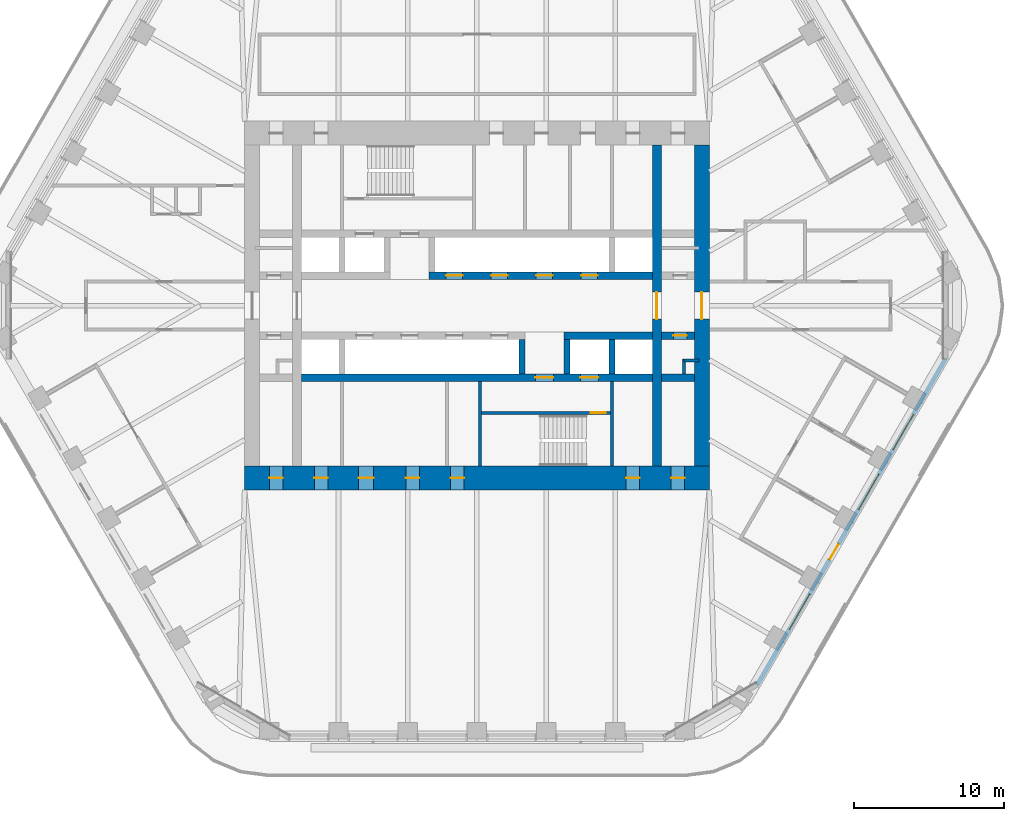
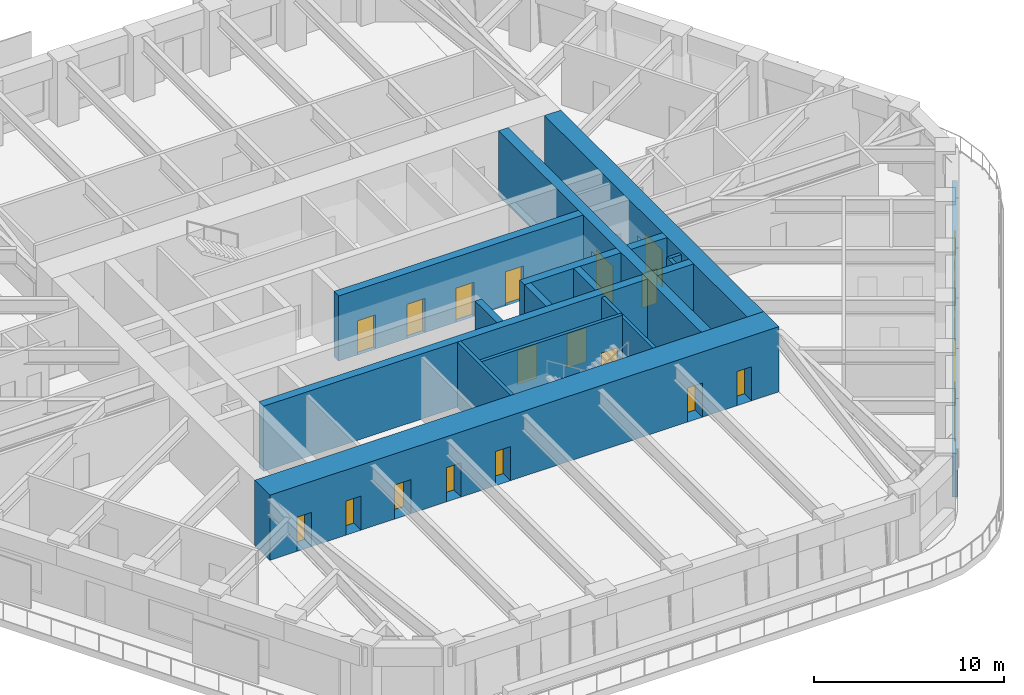
# One storey, part 15 of 20: 18 doors, 17 walls, 3 windows, 21 openings.
"""IFC4 building model written with IfcOpenShell, lengths in metres."""

import ifcopenshell
import ifcopenshell.guid

model = None  # the IFC model being written
_history = None  # IfcOwnerHistory: only IFC2X3 demands one
_inside = {}  # id of a spatial element -> (the spatial element, [elements in it])
_under = {}  # id of a project, library or spatial element -> (it, [spatial elements below it])
_declared = {}  # id of a project -> (the project, [libraries it declares])
_typed = {}  # id of a type object -> (the type object, [elements of that type])
_made_of = {}  # id of a material, layer set ... -> (it, [elements and type objects made of it])


def new_model(schema):
    """Start an empty IFC model of exactly this schema.

    Asked for "IFC4X3", IfcOpenShell would pick the latest addendum, in which some entities
    have other attributes; the version numbers below select the first issue.
    IFC2X3 requires an IfcOwnerHistory on every rooted entity: one is made here for all.
    """
    global model, _history
    if schema == "IFC4X3":
        model = ifcopenshell.file(schema_version=(4, 3, 0, 0))
    else:
        model = ifcopenshell.file(schema=schema)
    _inside.clear()
    _under.clear()
    _declared.clear()
    _typed.clear()
    _made_of.clear()
    _history = None
    if model.schema == "IFC2X3":
        org = make("IfcOrganization", Name="unknown")
        user = make(
            "IfcPersonAndOrganization",
            ThePerson=make("IfcPerson", FamilyName="unknown"),
            TheOrganization=org,
        )
        app = make(
            "IfcApplication",
            ApplicationDeveloper=org,
            Version="unknown",
            ApplicationFullName="unknown",
            ApplicationIdentifier="unknown",
        )
        _history = make(
            "IfcOwnerHistory",
            OwningUser=user,
            OwningApplication=app,
            ChangeAction="ADDED",
            CreationDate=0,
        )
    return model


def make(cls, **values):
    """One entity of the class cls with the attributes given. An attribute that is None is left unset."""
    return model.create_entity(
        cls, **{name: value for name, value in values.items() if value is not None}
    )


def rooted(cls, **values):
    """An entity with a GlobalId (a new one), such as an element, a storey or a relation."""
    return make(cls, GlobalId=ifcopenshell.guid.new(), OwnerHistory=_history, **values)


def si_unit(unit_type, name, prefix=None):
    """IfcSIUnit, for example si_unit("LENGTHUNIT", "METRE", prefix="MILLI")."""
    return make("IfcSIUnit", UnitType=unit_type, Prefix=prefix, Name=name)


def assignment(units):
    """IfcUnitAssignment: the units of a project."""
    return None if units is None else make("IfcUnitAssignment", Units=units)


def point(xyz):
    """IfcCartesianPoint."""
    return None if xyz is None else make("IfcCartesianPoint", Coordinates=xyz)


def direction(xyz):
    """IfcDirection."""
    return None if xyz is None else make("IfcDirection", DirectionRatios=xyz)


def frame(location, z_axis=None, x_axis=None):
    """IfcAxis2Placement3D, a coordinate frame: its origin and axes. An axis left out is left unset."""
    return make(
        "IfcAxis2Placement3D",
        Location=point(location),
        Axis=direction(z_axis),
        RefDirection=direction(x_axis),
    )


def frame_2d(location, x_axis=None):
    """IfcAxis2Placement2D, a coordinate frame in the plane: its origin and x axis."""
    return make(
        "IfcAxis2Placement2D", Location=point(location), RefDirection=direction(x_axis)
    )


def origin():
    """The frame at (0, 0, 0) with its axes left unset."""
    return frame((0.0, 0.0, 0.0))


def place(relative_to, where):
    """IfcLocalPlacement: puts the frame where relative to a parent placement (None: the world)."""
    return make(
        "IfcLocalPlacement", PlacementRelTo=relative_to, RelativePlacement=where
    )


def context(
    kind, dimensions, precision=None, world=None, true_north=None, identifier=None
):
    """IfcGeometricRepresentationContext, for example the 3D "Model" context."""
    return make(
        "IfcGeometricRepresentationContext",
        ContextIdentifier=identifier,
        ContextType=kind,
        CoordinateSpaceDimension=dimensions,
        Precision=precision,
        WorldCoordinateSystem=world,
        TrueNorth=true_north,
    )


def subcontext(parent, identifier, kind, view, scale=None):
    """IfcGeometricRepresentationSubContext, for example "Body" below "Model"."""
    return make(
        "IfcGeometricRepresentationSubContext",
        ContextIdentifier=identifier,
        ContextType=kind,
        ParentContext=parent,
        TargetScale=scale,
        TargetView=view,
    )


def project(units=None, contexts=None):
    """IfcProject with its units and contexts."""
    return rooted(
        "IfcProject",
        Name="project",
        RepresentationContexts=contexts,
        UnitsInContext=assignment(units),
    )


def spatial(cls, under=None, at=None, **own):
    """A site, building, storey or space (cls), placed at a placement, below another one or the project."""
    s = rooted(cls, ObjectPlacement=at, **own)
    if under is not None:
        _under.setdefault(under.id(), (under, []))[1].append(s)
    return s


def profile(cls, at=None, kind="AREA", **sizes):
    """A parametric profile (cls). Its sizes go by their IFC names, for example OverallWidth=200.0."""
    return make(cls, ProfileType=kind, Position=at, **sizes)


def rectangle(**sizes):
    """IfcRectangleProfileDef."""
    return profile("IfcRectangleProfileDef", **sizes)


def extrude(swept, where, along, depth):
    """IfcExtrudedAreaSolid: the profile swept, set in the frame where, extruded along a direction by depth."""
    return make(
        "IfcExtrudedAreaSolid",
        SweptArea=swept,
        Position=where,
        ExtrudedDirection=direction(along),
        Depth=depth,
    )


def shape(context_of_items, identifier, shape_type, items):
    """IfcShapeRepresentation: the items that make up one representation, for example the "Body"."""
    return make(
        "IfcShapeRepresentation",
        ContextOfItems=context_of_items,
        RepresentationIdentifier=identifier,
        RepresentationType=shape_type,
        Items=items,
    )


def material(Name=None, Category=None):
    """IfcMaterial."""
    return make("IfcMaterial", Name=Name, Category=Category)


def layer(
    of_material, thickness, ventilated=None, Name=None, Category=None, Priority=None
):
    """IfcMaterialLayer: one layer of a wall or slab, of a material (None: an air gap)."""
    return make(
        "IfcMaterialLayer",
        Material=of_material,
        LayerThickness=thickness,
        IsVentilated=ventilated,
        Name=Name,
        Category=Category,
        Priority=Priority,
    )


def layer_set(layers, Name=None):
    """IfcMaterialLayerSet."""
    return make("IfcMaterialLayerSet", MaterialLayers=layers, LayerSetName=Name)


def made_of(thing, what):
    """Note that an element or type object is made of a material, layer set ...; save() writes the relation."""
    if what is not None:
        _made_of.setdefault(what.id(), (what, []))[1].append(thing)
    return thing


def type_object(cls, material=None, **own):
    """A type object (cls), such as IfcWallType, which elements share."""
    return made_of(rooted(cls, **own), material)


def element(
    cls,
    number,
    at=None,
    inside=None,
    cuts=None,
    type_object=None,
    material=None,
    context=None,
    identifier="Body",
    shape_type=None,
    held_by="IfcProductDefinitionShape",
    body=None,
    shapes=None,
    **own,
):
    """One element of the class cls, such as IfcWall. Its Tag is "e" and its number.

    at: its placement. inside: the storey or other place that contains it. cuts: it is an
    opening in that element (IfcRelVoidsElement). A single representation is given by context,
    identifier, shape_type and body (its items); several are given by shapes. held_by: the class
    of the entity that holds the representations. save() writes the other relations.
    """
    e = rooted(cls, Tag="e%d" % number, ObjectPlacement=at, **own)
    if body is not None:
        shapes = [shape(context, identifier, shape_type, body)]
    if shapes is not None:
        e.Representation = make(held_by, Representations=shapes)
    if inside is not None:
        _inside.setdefault(inside.id(), (inside, []))[1].append(e)
    if cuts is not None:
        rooted(
            "IfcRelVoidsElement", RelatingBuildingElement=cuts, RelatedOpeningElement=e
        )
    if type_object is not None:
        _typed.setdefault(type_object.id(), (type_object, []))[1].append(e)
    return made_of(e, material)


def fill(opening, filler):
    """IfcRelFillsElement: the door or window that sits in an opening."""
    return rooted(
        "IfcRelFillsElement",
        RelatingOpeningElement=opening,
        RelatedBuildingElement=filler,
    )


def aggregate(whole, parts):
    """IfcRelAggregates: a whole, such as a stair, and the parts it consists of."""
    return rooted("IfcRelAggregates", RelatingObject=whole, RelatedObjects=parts)


def save(model, path):
    """Write the relations noted so far, then the file.

    IfcRelAggregates (storeys below a building ...), IfcRelContainedInSpatialStructure (elements
    in a storey), IfcRelDefinesByType, IfcRelAssociatesMaterial and IfcRelDeclares: one each for
    every whole, place, type object, material and project.
    """
    for whole, parts in _under.values():
        aggregate(whole, parts)
    for where, things in _inside.values():
        rooted(
            "IfcRelContainedInSpatialStructure",
            RelatedElements=things,
            RelatingStructure=where,
        )
    for kind, things in _typed.values():
        rooted("IfcRelDefinesByType", RelatedObjects=things, RelatingType=kind)
    for what, things in _made_of.values():
        rooted("IfcRelAssociatesMaterial", RelatedObjects=things, RelatingMaterial=what)
    for by, libraries in _declared.values():
        rooted("IfcRelDeclares", RelatingContext=by, RelatedDefinitions=libraries)
    model.write(path)


model = new_model("IFC4")

# Units and contexts
model_context = context("Model", 3, precision=1e-05, world=origin(), true_north=direction((0.0, 1.0)))
body_context = subcontext(model_context, "Body", "Model", "MODEL_VIEW")
ifc_project = project(units=[si_unit("LENGTHUNIT", "METRE"), si_unit("AREAUNIT", "SQUARE_METRE"), si_unit("VOLUMEUNIT", "CUBIC_METRE"), si_unit("PLANEANGLEUNIT", "RADIAN"), si_unit("MASSUNIT", "GRAM", prefix="KILO")], contexts=[model_context])

# Site, building, storey
site_placement = place(None, origin())
site = spatial("IfcSite", under=ifc_project, at=site_placement, CompositionType="ELEMENT")
building_placement = place(site_placement, origin())
building = spatial("IfcBuilding", under=site, at=building_placement, Name="Tarfa Lantern Tower", CompositionType="ELEMENT")
storey_placement = place(building_placement, frame((0.0, 0.0, 253.300048828125)))
storey = spatial("IfcBuildingStorey", under=building, at=storey_placement, Name="L57", CompositionType="ELEMENT", Elevation=253.300048828125)

# Wall, openings, door, windows
ifc_material_1 = material(Name="Limestone cladding on blockwork", Category="masonry")
ifc_layer_1 = layer(ifc_material_1, 0.300048828125)
ifc_layer_set_1 = layer_set([ifc_layer_1], Name="EW1 STONE-CLAD WALL 300")
wall_type_1 = type_object("IfcWallType", Name="EW1 STONE-CLAD WALL 300", PredefinedType="SOLIDWALL", material=ifc_layer_set_1)
wall_1_placement = place(storey_placement, frame((18.70654296875, -25.299072265625, 0.0), z_axis=(0.0, 0.0, 1.0), x_axis=(0.500000442367, 0.866025148383, 0.0)))
wall_1 = element("IfcWall", 1, at=wall_1_placement, inside=storey, type_object=wall_type_1, Name="Stone wall SE", PredefinedType="SOLIDWALL", context=body_context, shape_type="SweptSolid", body=[
    extrude(rectangle(XDim=25.11279296875, YDim=0.300048828125, at=frame_2d((12.556396484375, 0.0))), origin(), (0.0, 0.0, 1.0), 2.800048828125),
])
opening_1_placement = place(wall_1_placement, frame((4.2783203125, 0.0, 0.60009765625)))
opening_1 = element("IfcOpeningElement", 2, at=opening_1_placement, cuts=wall_1, Name="Opening W14", PredefinedType="OPENING", context=body_context, shape_type="SweptSolid", body=[
    extrude(rectangle(XDim=2.699951171875, YDim=1.949951171875, at=frame_2d((1.35009765625, 0.97509765625))), frame((0.0, 0.159912109375, 0.0), z_axis=(0.0, -1.0, 0.0), x_axis=(1.0, 0.0, 0.0)), (0.0, 0.0, 1.0), 0.320068359375),
])
opening_2_placement = place(wall_1_placement, frame((9.64697265625, 0.0, 0.0)))
opening_2 = element("IfcOpeningElement", 3, at=opening_2_placement, cuts=wall_1, Name="Opening D48", PredefinedType="OPENING", context=body_context, shape_type="SweptSolid", body=[
    extrude(rectangle(XDim=1.199951171875, YDim=2.39990234375, at=frame_2d((0.60009765625, 1.199951171875))), frame((0.0, 0.159912109375, 0.0), z_axis=(0.0, -1.0, 0.0), x_axis=(1.0, 0.0, 0.0)), (0.0, 0.0, 1.0), 0.320068359375),
])
opening_3_placement = place(wall_1_placement, frame((13.515869140625, 0.0, 0.60009765625)))
opening_3 = element("IfcOpeningElement", 4, at=opening_3_placement, cuts=wall_1, Name="Opening W14", PredefinedType="OPENING", context=body_context, shape_type="SweptSolid", body=[
    extrude(rectangle(XDim=2.699951171875, YDim=1.949951171875, at=frame_2d((1.35009765625, 0.97509765625))), frame((0.0, 0.159912109375, 0.0), z_axis=(0.0, -1.0, 0.0), x_axis=(1.0, 0.0, 0.0)), (0.0, 0.0, 1.0), 0.320068359375),
])
opening_4_placement = place(wall_1_placement, frame((18.134521484375, 0.0, 0.60009765625)))
opening_4 = element("IfcOpeningElement", 5, at=opening_4_placement, cuts=wall_1, Name="Opening W14", PredefinedType="OPENING", context=body_context, shape_type="SweptSolid", body=[
    extrude(rectangle(XDim=2.699951171875, YDim=1.949951171875, at=frame_2d((1.35009765625, 0.97509765625))), frame((0.0, 0.159912109375, 0.0), z_axis=(0.0, -1.0, 0.0), x_axis=(1.0, 0.0, 0.0)), (0.0, 0.0, 1.0), 0.320068359375),
])
ifc_material_2 = material(Name="Aluminium framed glazed door", Category="aluminium")
door_type_1 = type_object("IfcDoorType", Name="BE3 BALCONY DOOR 1200x2400", OperationType="SINGLE_SWING_RIGHT", PredefinedType="DOOR", material=ifc_material_2)
door_1_placement = place(opening_2_placement, origin())
door_1 = element("IfcDoor", 6, at=door_1_placement, inside=storey, type_object=door_type_1, Name="Balcony door SE", OperationType="SINGLE_SWING_RIGHT", OverallHeight=2.39990234375, OverallWidth=1.199951171875, PredefinedType="DOOR", context=body_context, shape_type="SweptSolid", body=[
    extrude(rectangle(XDim=1.199951171875, YDim=2.39990234375, at=frame_2d((0.60009765625, 1.199951171875))), frame((0.0, 0.02490234375, 0.0), z_axis=(0.0, -1.0, 0.0), x_axis=(1.0, 0.0, 0.0)), (0.0, 0.0, 1.0), 0.050048828125),
])
fill(opening_2, door_1)
ifc_material_3 = material(Name="Aluminium frame, double glazed", Category="aluminium")
window_type = type_object("IfcWindowType", Name="W14 FULL-HEIGHT GLAZING 2700x1950", PartitioningType="SINGLE_PANEL", PredefinedType="WINDOW", material=ifc_material_3)
window_1_placement = place(opening_1_placement, origin())
window_1 = element("IfcWindow", 7, at=window_1_placement, inside=storey, type_object=window_type, Name="Window SE 2", OverallHeight=1.949951171875, OverallWidth=2.699951171875, PartitioningType="SINGLE_PANEL", PredefinedType="WINDOW", context=body_context, shape_type="SweptSolid", body=[
    extrude(rectangle(XDim=2.699951171875, YDim=1.949951171875, at=frame_2d((1.35009765625, 0.97509765625))), frame((0.0, 0.030029296875, 0.0), z_axis=(0.0, -1.0, 0.0), x_axis=(1.0, 0.0, 0.0)), (0.0, 0.0, 1.0), 0.06005859375),
])
fill(opening_1, window_1)
window_2_placement = place(opening_3_placement, origin())
window_2 = element("IfcWindow", 8, at=window_2_placement, inside=storey, type_object=window_type, Name="Window SE 4", OverallHeight=1.949951171875, OverallWidth=2.699951171875, PartitioningType="SINGLE_PANEL", PredefinedType="WINDOW", context=body_context, shape_type="SweptSolid", body=[
    extrude(rectangle(XDim=2.699951171875, YDim=1.949951171875, at=frame_2d((1.35009765625, 0.97509765625))), frame((0.0, 0.030029296875, 0.0), z_axis=(0.0, -1.0, 0.0), x_axis=(1.0, 0.0, 0.0)), (0.0, 0.0, 1.0), 0.06005859375),
])
fill(opening_3, window_2)
window_3_placement = place(opening_4_placement, origin())
window_3 = element("IfcWindow", 9, at=window_3_placement, inside=storey, type_object=window_type, Name="Window SE 5", OverallHeight=1.949951171875, OverallWidth=2.699951171875, PartitioningType="SINGLE_PANEL", PredefinedType="WINDOW", context=body_context, shape_type="SweptSolid", body=[
    extrude(rectangle(XDim=2.699951171875, YDim=1.949951171875, at=frame_2d((1.35009765625, 0.97509765625))), frame((0.0, 0.030029296875, 0.0), z_axis=(0.0, -1.0, 0.0), x_axis=(1.0, 0.0, 0.0)), (0.0, 0.0, 1.0), 0.06005859375),
])
fill(opening_4, window_3)

# Walls
ifc_material_4 = material(Name="Concrete blockwork", Category="masonry")
ifc_layer_2 = layer(ifc_material_4, 0.199951171875)
ifc_layer_set_2 = layer_set([ifc_layer_2], Name="IW1 BLOCKWORK PARTITION 200 EI 120")
wall_type_2 = type_object("IfcWallType", Name="IW1 BLOCKWORK PARTITION 200 EI 120", PredefinedType="PARTITIONING", material=ifc_layer_set_2)
wall_2_placement = place(storey_placement, frame((9.0, -5.050048828125, 0.0), z_axis=(0.0, 0.0, 1.0), x_axis=(0.0, -1.0, 0.0)))
element("IfcWall", 10, at=wall_2_placement, inside=storey, type_object=wall_type_2, Name="Core partition", PredefinedType="PARTITIONING", context=body_context, shape_type="SweptSolid", body=[
    extrude(rectangle(XDim=5.64990234375, YDim=0.199951171875, at=frame_2d((2.824951171875, 0.0))), origin(), (0.0, 0.0, 1.0), 4.0),
])
for number, where, z_axis, x_axis, name in (
    (11, (14.800048828125, -3.64990234375, 0.0), (0.0, 0.0, 1.0), (-1.0, 0.0, 0.0), "Core partition"),
    (12, (13.800048828125, -3.550048828125, 0.0), (0.0, 0.0, 1.0), (0.0, -1.0, 0.0), "Core partition"),
):
    element("IfcWall", number, at=place(storey_placement, frame(where, z_axis=z_axis, x_axis=x_axis)), inside=storey, type_object=wall_type_2, Name=name, PredefinedType="PARTITIONING", context=body_context, shape_type="SweptSolid", body=[
        extrude(rectangle(XDim=1.0, YDim=0.199951171875, at=frame_2d((0.5, 0.0))), origin(), (0.0, 0.0, 1.0), 4.0),
    ])
ifc_material_5 = material(Name="Concrete C80/95", Category="concrete")
ifc_layer_3 = layer(ifc_material_5, 0.199951171875)
ifc_layer_set_3 = layer_set([ifc_layer_3], Name="SW12 CORE WALL 200")
wall_type_3 = type_object("IfcWallType", Name="SW12 CORE WALL 200", PredefinedType="SHEAR", material=ifc_layer_set_3)
wall_3_placement = place(storey_placement, frame((0.199951171875, -5.050048828125, 0.0), z_axis=(0.0, 0.0, 1.0), x_axis=(0.0, -1.0, 0.0)))
element("IfcWall", 13, at=wall_3_placement, inside=storey, type_object=wall_type_3, Name="Core wall stair shaft S", PredefinedType="SHEAR", context=body_context, shape_type="SweptSolid", body=[
    extrude(rectangle(XDim=5.64990234375, YDim=0.199951171875, at=frame_2d((2.824951171875, 0.0))), origin(), (0.0, 0.0, 1.0), 4.199951171875),
])

# Wall, opening, door
wall_4_placement = place(storey_placement, frame((8.89990234375, -7.14990234375, 0.0), z_axis=(0.0, 0.0, 1.0), x_axis=(-1.0, 0.0, 0.0)))
wall_4 = element("IfcWall", 14, at=wall_4_placement, inside=storey, type_object=wall_type_3, Name="Core wall stair partition S", PredefinedType="SHEAR", context=body_context, shape_type="SweptSolid", body=[
    extrude(rectangle(XDim=8.599853515625, YDim=0.199951171875, at=frame_2d((4.2998046875, 0.0))), origin(), (0.0, 0.0, 1.0), 4.199951171875),
])
opening_5_placement = place(wall_4_placement, frame((0.300048828125, 0.0, 0.0)))
opening_5 = element("IfcOpeningElement", 15, at=opening_5_placement, cuts=wall_4, Name="Opening D24", PredefinedType="OPENING", context=body_context, shape_type="SweptSolid", body=[
    extrude(rectangle(XDim=1.0, YDim=2.199951171875, at=frame_2d((0.5, 1.10009765625))), frame((0.0, 0.10986328125, 0.0), z_axis=(0.0, -1.0, 0.0), x_axis=(1.0, 0.0, 0.0)), (0.0, 0.0, 1.0), 0.219970703125),
])
ifc_material_6 = material(Name="Steel fire door", Category="steel")
door_type_2 = type_object("IfcDoorType", Name="DF2 STAIR DOOR 1000x2200", OperationType="SINGLE_SWING_LEFT", PredefinedType="DOOR", material=ifc_material_6)
door_2_placement = place(opening_5_placement, origin())
door_2 = element("IfcDoor", 16, at=door_2_placement, inside=storey, type_object=door_type_2, Name="Stair door", OperationType="SINGLE_SWING_RIGHT", OverallHeight=2.199951171875, OverallWidth=1.0, PredefinedType="DOOR", context=body_context, shape_type="SweptSolid", body=[
    extrude(rectangle(XDim=1.0, YDim=2.199951171875, at=frame_2d((0.5, 1.10009765625))), frame((0.0, 0.02490234375, 0.0), z_axis=(0.0, -1.0, 0.0), x_axis=(1.0, 0.0, 0.0)), (0.0, 0.0, 1.0), 0.050048828125),
])
fill(opening_5, door_2)

ifc_layer_4 = layer(ifc_material_5, 1.0)
ifc_layer_set_4 = layer_set([ifc_layer_4], Name="SW2 CORE WALL 1000")
wall_type_4 = type_object("IfcWallType", Name="SW2 CORE WALL 1000", PredefinedType="SHEAR", material=ifc_layer_set_4)
wall_5_placement = place(storey_placement, frame((15.0, -10.699951171875, 0.0), z_axis=(0.0, 0.0, 1.0), x_axis=(0.0, 1.0, 0.0)))
wall_5 = element("IfcWall", 17, at=wall_5_placement, inside=storey, type_object=wall_type_4, Name="Core wall E", PredefinedType="SHEAR", context=body_context, shape_type="SweptSolid", body=[
    extrude(rectangle(XDim=21.39990234375, YDim=1.0, at=frame_2d((10.699951171875, 0.0))), origin(), (0.0, 0.0, 1.0), 4.199951171875),
])
opening_6_placement = place(wall_5_placement, frame((9.800048828125, 0.0, 0.0)))
opening_6 = element("IfcOpeningElement", 18, at=opening_6_placement, cuts=wall_5, Name="Opening D11", PredefinedType="OPENING", context=body_context, shape_type="SweptSolid", body=[
    extrude(rectangle(XDim=1.800048828125, YDim=2.39990234375, at=frame_2d((0.89990234375, 1.199951171875))), frame((0.0, 0.510009765625, 0.0), z_axis=(0.0, -1.0, 0.0), x_axis=(1.0, 0.0, 0.0)), (0.0, 0.0, 1.0), 1.02001953125),
])
door_type_3 = type_object("IfcDoorType", Name="DL1 LOBBY DOOR 1800x2400", OperationType="DOUBLE_DOOR_SINGLE_SWING", PredefinedType="DOOR", material=ifc_material_6)
door_3_placement = place(opening_6_placement, frame((1.800048828125, 0.0, 0.0), z_axis=(0.0, 0.0, 1.0), x_axis=(-1.0, 0.0, 0.0)))
door_3 = element("IfcDoor", 19, at=door_3_placement, inside=storey, type_object=door_type_3, Name="Lift lobby door", OperationType="DOUBLE_DOOR_SINGLE_SWING", OverallHeight=2.39990234375, OverallWidth=1.800048828125, PredefinedType="DOOR", context=body_context, shape_type="SweptSolid", body=[
    extrude(rectangle(XDim=1.800048828125, YDim=2.39990234375, at=frame_2d((0.89990234375, 1.199951171875))), frame((0.0, 0.02490234375, 0.0), z_axis=(0.0, -1.0, 0.0), x_axis=(1.0, 0.0, 0.0)), (0.0, 0.0, 1.0), 0.050048828125),
])
fill(opening_6, door_3)

# Wall, openings, doors
ifc_layer_5 = layer(ifc_material_5, 0.5)
ifc_layer_set_5 = layer_set([ifc_layer_5], Name="SW5 CORE WALL 500")
wall_type_5 = type_object("IfcWallType", Name="SW5 CORE WALL 500", PredefinedType="SHEAR", material=ifc_layer_set_5)
wall_6_placement = place(storey_placement, frame((-3.199951171875, 2.0, 0.0), z_axis=(0.0, 0.0, 1.0), x_axis=(1.0, 0.0, 0.0)))
wall_6 = element("IfcWall", 20, at=wall_6_placement, inside=storey, type_object=wall_type_5, Name="Core wall lobby east N", PredefinedType="SHEAR", context=body_context, shape_type="SweptSolid", body=[
    extrude(rectangle(XDim=14.89990234375, YDim=0.5, at=frame_2d((7.449951171875, 0.0))), origin(), (0.0, 0.0, 1.0), 4.199951171875),
])
opening_7_placement = place(wall_6_placement, frame((1.14990234375, 0.0, 0.0)))
opening_7 = element("IfcOpeningElement", 21, at=opening_7_placement, cuts=wall_6, Name="Opening LD03", PredefinedType="OPENING", context=body_context, shape_type="SweptSolid", body=[
    extrude(rectangle(XDim=1.10009765625, YDim=2.199951171875, at=frame_2d((0.550048828125, 1.10009765625))), frame((0.0, 0.260009765625, 0.0), z_axis=(0.0, -1.0, 0.0), x_axis=(1.0, 0.0, 0.0)), (0.0, 0.0, 1.0), 0.52001953125),
])
opening_8_placement = place(wall_6_placement, frame((4.14990234375, 0.0, 0.0)))
opening_8 = element("IfcOpeningElement", 22, at=opening_8_placement, cuts=wall_6, Name="Opening LD04", PredefinedType="OPENING", context=body_context, shape_type="SweptSolid", body=[
    extrude(rectangle(XDim=1.10009765625, YDim=2.199951171875, at=frame_2d((0.550048828125, 1.10009765625))), frame((0.0, 0.260009765625, 0.0), z_axis=(0.0, -1.0, 0.0), x_axis=(1.0, 0.0, 0.0)), (0.0, 0.0, 1.0), 0.52001953125),
])
opening_9_placement = place(wall_6_placement, frame((7.14990234375, 0.0, 0.0)))
opening_9 = element("IfcOpeningElement", 23, at=opening_9_placement, cuts=wall_6, Name="Opening LD05", PredefinedType="OPENING", context=body_context, shape_type="SweptSolid", body=[
    extrude(rectangle(XDim=1.10009765625, YDim=2.199951171875, at=frame_2d((0.550048828125, 1.10009765625))), frame((0.0, 0.260009765625, 0.0), z_axis=(0.0, -1.0, 0.0), x_axis=(1.0, 0.0, 0.0)), (0.0, 0.0, 1.0), 0.52001953125),
])
opening_10_placement = place(wall_6_placement, frame((10.14990234375, 0.0, 0.0)))
opening_10 = element("IfcOpeningElement", 24, at=opening_10_placement, cuts=wall_6, Name="Opening LD06", PredefinedType="OPENING", context=body_context, shape_type="SweptSolid", body=[
    extrude(rectangle(XDim=1.10009765625, YDim=2.199951171875, at=frame_2d((0.550048828125, 1.10009765625))), frame((0.0, 0.260009765625, 0.0), z_axis=(0.0, -1.0, 0.0), x_axis=(1.0, 0.0, 0.0)), (0.0, 0.0, 1.0), 0.52001953125),
])
ifc_material_7 = material(Name="Stainless steel lift door", Category="steel")
door_type_4 = type_object("IfcDoorType", Name="LD2 LIFT LANDING DOOR 1100x2200", OperationType="SLIDING_TO_LEFT", PredefinedType="DOOR", material=ifc_material_7)
door_4_placement = place(opening_7_placement, frame((1.10009765625, 0.0, 0.0), z_axis=(0.0, 0.0, 1.0), x_axis=(-1.0, 0.0, 0.0)))
door_4 = element("IfcDoor", 25, at=door_4_placement, inside=storey, type_object=door_type_4, Name="Landing door PC1", OperationType="SLIDING_TO_LEFT", OverallHeight=2.199951171875, OverallWidth=1.10009765625, PredefinedType="DOOR", context=body_context, shape_type="SweptSolid", body=[
    extrude(rectangle(XDim=1.10009765625, YDim=2.199951171875, at=frame_2d((0.550048828125, 1.10009765625))), frame((0.0, 0.02490234375, 0.0), z_axis=(0.0, -1.0, 0.0), x_axis=(1.0, 0.0, 0.0)), (0.0, 0.0, 1.0), 0.050048828125),
])
fill(opening_7, door_4)
door_5_placement = place(opening_8_placement, frame((1.10009765625, 0.0, 0.0), z_axis=(0.0, 0.0, 1.0), x_axis=(-1.0, 0.0, 0.0)))
door_5 = element("IfcDoor", 26, at=door_5_placement, inside=storey, type_object=door_type_4, Name="Landing door PC2", OperationType="SLIDING_TO_LEFT", OverallHeight=2.199951171875, OverallWidth=1.10009765625, PredefinedType="DOOR", context=body_context, shape_type="SweptSolid", body=[
    extrude(rectangle(XDim=1.10009765625, YDim=2.199951171875, at=frame_2d((0.550048828125, 1.10009765625))), frame((0.0, 0.02490234375, 0.0), z_axis=(0.0, -1.0, 0.0), x_axis=(1.0, 0.0, 0.0)), (0.0, 0.0, 1.0), 0.050048828125),
])
fill(opening_8, door_5)
door_6_placement = place(opening_9_placement, frame((1.10009765625, 0.0, 0.0), z_axis=(0.0, 0.0, 1.0), x_axis=(-1.0, 0.0, 0.0)))
door_6 = element("IfcDoor", 27, at=door_6_placement, inside=storey, type_object=door_type_4, Name="Landing door PC3", OperationType="SLIDING_TO_LEFT", OverallHeight=2.199951171875, OverallWidth=1.10009765625, PredefinedType="DOOR", context=body_context, shape_type="SweptSolid", body=[
    extrude(rectangle(XDim=1.10009765625, YDim=2.199951171875, at=frame_2d((0.550048828125, 1.10009765625))), frame((0.0, 0.02490234375, 0.0), z_axis=(0.0, -1.0, 0.0), x_axis=(1.0, 0.0, 0.0)), (0.0, 0.0, 1.0), 0.050048828125),
])
fill(opening_9, door_6)
door_7_placement = place(opening_10_placement, frame((1.10009765625, 0.0, 0.0), z_axis=(0.0, 0.0, 1.0), x_axis=(-1.0, 0.0, 0.0)))
door_7 = element("IfcDoor", 28, at=door_7_placement, inside=storey, type_object=door_type_4, Name="Landing door PC4", OperationType="SLIDING_TO_LEFT", OverallHeight=2.199951171875, OverallWidth=1.10009765625, PredefinedType="DOOR", context=body_context, shape_type="SweptSolid", body=[
    extrude(rectangle(XDim=1.10009765625, YDim=2.199951171875, at=frame_2d((0.550048828125, 1.10009765625))), frame((0.0, 0.02490234375, 0.0), z_axis=(0.0, -1.0, 0.0), x_axis=(1.0, 0.0, 0.0)), (0.0, 0.0, 1.0), 0.050048828125),
])
fill(opening_10, door_7)

# Wall, opening, door
wall_7_placement = place(storey_placement, frame((14.5, -2.0, 0.0), z_axis=(0.0, 0.0, 1.0), x_axis=(-1.0, 0.0, 0.0)))
wall_7 = element("IfcWall", 29, at=wall_7_placement, inside=storey, type_object=wall_type_5, Name="Core wall lobby west S", PredefinedType="SHEAR", context=body_context, shape_type="SweptSolid", body=[
    extrude(rectangle(XDim=2.199951171875, YDim=0.5, at=frame_2d((1.10009765625, 0.0))), origin(), (0.0, 0.0, 1.0), 4.199951171875),
])
opening_11_placement = place(wall_7_placement, frame((0.5, 0.0, 0.0)))
opening_11 = element("IfcOpeningElement", 30, at=opening_11_placement, cuts=wall_7, Name="Opening D16", PredefinedType="OPENING", context=body_context, shape_type="SweptSolid", body=[
    extrude(rectangle(XDim=0.89990234375, YDim=2.199951171875, at=frame_2d((0.449951171875, 1.10009765625))), frame((0.0, 0.260009765625, 0.0), z_axis=(0.0, -1.0, 0.0), x_axis=(1.0, 0.0, 0.0)), (0.0, 0.0, 1.0), 0.52001953125),
])
door_type_5 = type_object("IfcDoorType", Name="DF6 SERVICE ROOM DOOR 900x2200", OperationType="SINGLE_SWING_LEFT", PredefinedType="DOOR", material=ifc_material_6)
door_8_placement = place(opening_11_placement, origin())
door_8 = element("IfcDoor", 31, at=door_8_placement, inside=storey, type_object=door_type_5, Name="Service room door", OperationType="SINGLE_SWING_RIGHT", OverallHeight=2.199951171875, OverallWidth=0.89990234375, PredefinedType="DOOR", context=body_context, shape_type="SweptSolid", body=[
    extrude(rectangle(XDim=0.89990234375, YDim=2.199951171875, at=frame_2d((0.449951171875, 1.10009765625))), frame((0.0, 0.02490234375, 0.0), z_axis=(0.0, -1.0, 0.0), x_axis=(1.0, 0.0, 0.0)), (0.0, 0.0, 1.0), 0.050048828125),
])
fill(opening_11, door_8)

# Walls
wall_8_placement = place(storey_placement, frame((11.699951171875, -2.0, 0.0), z_axis=(0.0, 0.0, 1.0), x_axis=(-1.0, 0.0, 0.0)))
element("IfcWall", 32, at=wall_8_placement, inside=storey, type_object=wall_type_5, Name="Core wall lobby west S", PredefinedType="SHEAR", context=body_context, shape_type="SweptSolid", body=[
    extrude(rectangle(XDim=5.89990234375, YDim=0.5, at=frame_2d((2.949951171875, 0.0))), origin(), (0.0, 0.0, 1.0), 4.199951171875),
])
wall_9_placement = place(storey_placement, frame((14.5, -4.800048828125, 0.0), z_axis=(0.0, 0.0, 1.0), x_axis=(-1.0, 0.0, 0.0)))
element("IfcWall", 33, at=wall_9_placement, inside=storey, type_object=wall_type_5, Name="Core wall rear S", PredefinedType="SHEAR", context=body_context, shape_type="SweptSolid", body=[
    extrude(rectangle(XDim=2.199951171875, YDim=0.5, at=frame_2d((1.10009765625, 0.0))), origin(), (0.0, 0.0, 1.0), 4.199951171875),
])

# Wall, openings, doors
wall_10_placement = place(storey_placement, frame((11.699951171875, -4.800048828125, 0.0), z_axis=(0.0, 0.0, 1.0), x_axis=(-1.0, 0.0, 0.0)))
wall_10 = element("IfcWall", 34, at=wall_10_placement, inside=storey, type_object=wall_type_5, Name="Core wall rear S", PredefinedType="SHEAR", context=body_context, shape_type="SweptSolid", body=[
    extrude(rectangle(XDim=23.39990234375, YDim=0.5, at=frame_2d((11.699951171875, 0.0))), origin(), (0.0, 0.0, 1.0), 4.199951171875),
])
opening_12_placement = place(wall_10_placement, frame((6.60009765625, 0.0, 0.0)))
opening_12 = element("IfcOpeningElement", 35, at=opening_12_placement, cuts=wall_10, Name="Opening D10", PredefinedType="OPENING", context=body_context, shape_type="SweptSolid", body=[
    extrude(rectangle(XDim=1.199951171875, YDim=2.199951171875, at=frame_2d((0.60009765625, 1.10009765625))), frame((0.0, 0.260009765625, 0.0), z_axis=(0.0, -1.0, 0.0), x_axis=(1.0, 0.0, 0.0)), (0.0, 0.0, 1.0), 0.52001953125),
])
opening_13_placement = place(wall_10_placement, frame((3.60009765625, 0.0, 0.0)))
opening_13 = element("IfcOpeningElement", 36, at=opening_13_placement, cuts=wall_10, Name="Opening LD02", PredefinedType="OPENING", context=body_context, shape_type="SweptSolid", body=[
    extrude(rectangle(XDim=1.199951171875, YDim=2.199951171875, at=frame_2d((0.60009765625, 1.10009765625))), frame((0.0, 0.260009765625, 0.0), z_axis=(0.0, -1.0, 0.0), x_axis=(1.0, 0.0, 0.0)), (0.0, 0.0, 1.0), 0.52001953125),
])
door_type_6 = type_object("IfcDoorType", Name="DF1 FIREFIGHTING LOBBY DOOR 1200x2200", OperationType="SINGLE_SWING_LEFT", PredefinedType="DOOR", material=ifc_material_6)
door_9_placement = place(opening_12_placement, origin())
door_9 = element("IfcDoor", 37, at=door_9_placement, inside=storey, type_object=door_type_6, Name="Firefighting lobby door", OperationType="SINGLE_SWING_LEFT", OverallHeight=2.199951171875, OverallWidth=1.199951171875, PredefinedType="DOOR", context=body_context, shape_type="SweptSolid", body=[
    extrude(rectangle(XDim=1.199951171875, YDim=2.199951171875, at=frame_2d((0.60009765625, 1.10009765625))), frame((0.0, 0.02490234375, 0.0), z_axis=(0.0, -1.0, 0.0), x_axis=(1.0, 0.0, 0.0)), (0.0, 0.0, 1.0), 0.050048828125),
])
fill(opening_12, door_9)
door_type_7 = type_object("IfcDoorType", Name="LD1 LIFT LANDING DOOR 1200x2200", OperationType="SLIDING_TO_LEFT", PredefinedType="DOOR", material=ifc_material_7)
door_10_placement = place(opening_13_placement, origin())
door_10 = element("IfcDoor", 38, at=door_10_placement, inside=storey, type_object=door_type_7, Name="Landing door FL2", OperationType="SLIDING_TO_LEFT", OverallHeight=2.199951171875, OverallWidth=1.199951171875, PredefinedType="DOOR", context=body_context, shape_type="SweptSolid", body=[
    extrude(rectangle(XDim=1.199951171875, YDim=2.199951171875, at=frame_2d((0.60009765625, 1.10009765625))), frame((0.0, 0.02490234375, 0.0), z_axis=(0.0, -1.0, 0.0), x_axis=(1.0, 0.0, 0.0)), (0.0, 0.0, 1.0), 0.050048828125),
])
fill(opening_13, door_10)

# Walls
ifc_layer_6 = layer(ifc_material_5, 0.39990234375)
ifc_layer_set_6 = layer_set([ifc_layer_6], Name="SW6 CORE WALL 400")
wall_type_6 = type_object("IfcWallType", Name="SW6 CORE WALL 400", PredefinedType="SHEAR", material=ifc_layer_set_6)
for number, where, z_axis, x_axis, name in (
    (39, (9.0, -2.25, 0.0), (0.0, 0.0, 1.0), (0.0, -1.0, 0.0), "Core wall divider S"),
    (40, (6.0, -2.25, 0.0), (0.0, 0.0, 1.0), (0.0, -1.0, 0.0), "Core wall divider S"),
    (41, (3.0, -2.25, 0.0), (0.0, 0.0, 1.0), (0.0, -1.0, 0.0), "Core wall divider S"),
):
    element("IfcWall", number, at=place(storey_placement, frame(where, z_axis=z_axis, x_axis=x_axis)), inside=storey, type_object=wall_type_6, Name=name, PredefinedType="SHEAR", context=body_context, shape_type="SweptSolid", body=[
        extrude(rectangle(XDim=2.300048828125, YDim=0.39990234375, at=frame_2d((1.14990234375, 0.0))), origin(), (0.0, 0.0, 1.0), 4.199951171875),
    ])

# Wall, openings, doors
ifc_layer_7 = layer(ifc_material_5, 1.60009765625)
ifc_layer_set_7 = layer_set([ifc_layer_7], Name="SW7 CORE WALL 1600")
wall_type_7 = type_object("IfcWallType", Name="SW7 CORE WALL 1600", PredefinedType="SHEAR", material=ifc_layer_set_7)
wall_11_placement = place(storey_placement, frame((15.5, -11.5, 0.0), z_axis=(0.0, 0.0, 1.0), x_axis=(-1.0, 0.0, 0.0)))
wall_11 = element("IfcWall", 42, at=wall_11_placement, inside=storey, type_object=wall_type_7, Name="Core wall S", PredefinedType="SHEAR", context=body_context, shape_type="SweptSolid", body=[
    extrude(rectangle(XDim=31.0, YDim=1.60009765625, at=frame_2d((15.5, 0.0))), origin(), (0.0, 0.0, 1.0), 4.199951171875),
])
opening_14_placement = place(wall_11_placement, frame((16.35009765625, 0.0, 0.0)))
opening_14 = element("IfcOpeningElement", 43, at=opening_14_placement, cuts=wall_11, Name="Opening D18", PredefinedType="OPENING", context=body_context, shape_type="SweptSolid", body=[
    extrude(rectangle(XDim=0.89990234375, YDim=2.199951171875, at=frame_2d((0.449951171875, 1.10009765625))), frame((0.0, 0.81005859375, 0.0), z_axis=(0.0, -1.0, 0.0), x_axis=(1.0, 0.0, 0.0)), (0.0, 0.0, 1.0), 1.6201171875),
])
opening_15_placement = place(wall_11_placement, frame((19.35009765625, 0.0, 0.0)))
opening_15 = element("IfcOpeningElement", 44, at=opening_15_placement, cuts=wall_11, Name="Opening D20", PredefinedType="OPENING", context=body_context, shape_type="SweptSolid", body=[
    extrude(rectangle(XDim=0.89990234375, YDim=2.199951171875, at=frame_2d((0.449951171875, 1.10009765625))), frame((0.0, 0.81005859375, 0.0), z_axis=(0.0, -1.0, 0.0), x_axis=(1.0, 0.0, 0.0)), (0.0, 0.0, 1.0), 1.6201171875),
])
opening_16_placement = place(wall_11_placement, frame((22.39990234375, 0.0, 0.0)))
opening_16 = element("IfcOpeningElement", 45, at=opening_16_placement, cuts=wall_11, Name="Opening D22", PredefinedType="OPENING", context=body_context, shape_type="SweptSolid", body=[
    extrude(rectangle(XDim=1.0, YDim=2.199951171875, at=frame_2d((0.5, 1.10009765625))), frame((0.0, 0.81005859375, 0.0), z_axis=(0.0, -1.0, 0.0), x_axis=(1.0, 0.0, 0.0)), (0.0, 0.0, 1.0), 1.6201171875),
])
opening_17_placement = place(wall_11_placement, frame((1.64990234375, 0.0, 0.0)))
opening_17 = element("IfcOpeningElement", 46, at=opening_17_placement, cuts=wall_11, Name="Opening D08", PredefinedType="OPENING", context=body_context, shape_type="SweptSolid", body=[
    extrude(rectangle(XDim=0.89990234375, YDim=2.199951171875, at=frame_2d((0.449951171875, 1.10009765625))), frame((0.0, 0.81005859375, 0.0), z_axis=(0.0, -1.0, 0.0), x_axis=(1.0, 0.0, 0.0)), (0.0, 0.0, 1.0), 1.6201171875),
])
opening_18_placement = place(wall_11_placement, frame((4.64990234375, 0.0, 0.0)))
opening_18 = element("IfcOpeningElement", 47, at=opening_18_placement, cuts=wall_11, Name="Opening D06", PredefinedType="OPENING", context=body_context, shape_type="SweptSolid", body=[
    extrude(rectangle(XDim=0.89990234375, YDim=2.199951171875, at=frame_2d((0.449951171875, 1.10009765625))), frame((0.0, 0.81005859375, 0.0), z_axis=(0.0, -1.0, 0.0), x_axis=(1.0, 0.0, 0.0)), (0.0, 0.0, 1.0), 1.6201171875),
])
opening_19_placement = place(wall_11_placement, frame((25.449951171875, 0.0, 0.0)))
opening_19 = element("IfcOpeningElement", 48, at=opening_19_placement, cuts=wall_11, Name="Opening D04", PredefinedType="OPENING", context=body_context, shape_type="SweptSolid", body=[
    extrude(rectangle(XDim=0.89990234375, YDim=2.199951171875, at=frame_2d((0.449951171875, 1.10009765625))), frame((0.0, 0.81005859375, 0.0), z_axis=(0.0, -1.0, 0.0), x_axis=(1.0, 0.0, 0.0)), (0.0, 0.0, 1.0), 1.6201171875),
])
opening_20_placement = place(wall_11_placement, frame((28.449951171875, 0.0, 0.0)))
opening_20 = element("IfcOpeningElement", 49, at=opening_20_placement, cuts=wall_11, Name="Opening D02", PredefinedType="OPENING", context=body_context, shape_type="SweptSolid", body=[
    extrude(rectangle(XDim=0.89990234375, YDim=2.199951171875, at=frame_2d((0.449951171875, 1.10009765625))), frame((0.0, 0.81005859375, 0.0), z_axis=(0.0, -1.0, 0.0), x_axis=(1.0, 0.0, 0.0)), (0.0, 0.0, 1.0), 1.6201171875),
])
door_type_8 = type_object("IfcDoorType", Name="DF3 CORE ROOM DOOR 900x2200", OperationType="SINGLE_SWING_LEFT", PredefinedType="DOOR", material=ifc_material_6)
door_11_placement = place(opening_14_placement, frame((0.89990234375, 0.0, 0.0), z_axis=(0.0, 0.0, 1.0), x_axis=(-1.0, 0.0, 0.0)))
door_11 = element("IfcDoor", 50, at=door_11_placement, inside=storey, type_object=door_type_8, Name="Core door", OperationType="SINGLE_SWING_RIGHT", OverallHeight=2.199951171875, OverallWidth=0.89990234375, PredefinedType="DOOR", context=body_context, shape_type="SweptSolid", body=[
    extrude(rectangle(XDim=0.89990234375, YDim=2.199951171875, at=frame_2d((0.449951171875, 1.10009765625))), frame((0.0, 0.02490234375, 0.0), z_axis=(0.0, -1.0, 0.0), x_axis=(1.0, 0.0, 0.0)), (0.0, 0.0, 1.0), 0.050048828125),
])
fill(opening_14, door_11)
door_12_placement = place(opening_15_placement, frame((0.89990234375, 0.0, 0.0), z_axis=(0.0, 0.0, 1.0), x_axis=(-1.0, 0.0, 0.0)))
door_12 = element("IfcDoor", 51, at=door_12_placement, inside=storey, type_object=door_type_8, Name="Core door", OperationType="SINGLE_SWING_LEFT", OverallHeight=2.199951171875, OverallWidth=0.89990234375, PredefinedType="DOOR", context=body_context, shape_type="SweptSolid", body=[
    extrude(rectangle(XDim=0.89990234375, YDim=2.199951171875, at=frame_2d((0.449951171875, 1.10009765625))), frame((0.0, 0.02490234375, 0.0), z_axis=(0.0, -1.0, 0.0), x_axis=(1.0, 0.0, 0.0)), (0.0, 0.0, 1.0), 0.050048828125),
])
fill(opening_15, door_12)
door_type_9 = type_object("IfcDoorType", Name="DF4 CORE ROOM DOOR 1000x2200", OperationType="SINGLE_SWING_LEFT", PredefinedType="DOOR", material=ifc_material_6)
door_13_placement = place(opening_16_placement, frame((1.0, 0.0, 0.0), z_axis=(0.0, 0.0, 1.0), x_axis=(-1.0, 0.0, 0.0)))
door_13 = element("IfcDoor", 52, at=door_13_placement, inside=storey, type_object=door_type_9, Name="Core door", OperationType="SINGLE_SWING_RIGHT", OverallHeight=2.199951171875, OverallWidth=1.0, PredefinedType="DOOR", context=body_context, shape_type="SweptSolid", body=[
    extrude(rectangle(XDim=1.0, YDim=2.199951171875, at=frame_2d((0.5, 1.10009765625))), frame((0.0, 0.02490234375, 0.0), z_axis=(0.0, -1.0, 0.0), x_axis=(1.0, 0.0, 0.0)), (0.0, 0.0, 1.0), 0.050048828125),
])
fill(opening_16, door_13)
door_type_10 = type_object("IfcDoorType", Name="DF5 RISER DOOR 900x2200", OperationType="SINGLE_SWING_LEFT", PredefinedType="DOOR", material=ifc_material_6)
door_14_placement = place(opening_17_placement, frame((0.89990234375, 0.0, 0.0), z_axis=(0.0, 0.0, 1.0), x_axis=(-1.0, 0.0, 0.0)))
door_14 = element("IfcDoor", 53, at=door_14_placement, inside=storey, type_object=door_type_10, Name="Riser door", OperationType="SINGLE_SWING_LEFT", OverallHeight=2.199951171875, OverallWidth=0.89990234375, PredefinedType="DOOR", context=body_context, shape_type="SweptSolid", body=[
    extrude(rectangle(XDim=0.89990234375, YDim=2.199951171875, at=frame_2d((0.449951171875, 1.10009765625))), frame((0.0, 0.02490234375, 0.0), z_axis=(0.0, -1.0, 0.0), x_axis=(1.0, 0.0, 0.0)), (0.0, 0.0, 1.0), 0.050048828125),
])
fill(opening_17, door_14)
door_15_placement = place(opening_18_placement, frame((0.89990234375, 0.0, 0.0), z_axis=(0.0, 0.0, 1.0), x_axis=(-1.0, 0.0, 0.0)))
door_15 = element("IfcDoor", 54, at=door_15_placement, inside=storey, type_object=door_type_10, Name="Riser door", OperationType="SINGLE_SWING_LEFT", OverallHeight=2.199951171875, OverallWidth=0.89990234375, PredefinedType="DOOR", context=body_context, shape_type="SweptSolid", body=[
    extrude(rectangle(XDim=0.89990234375, YDim=2.199951171875, at=frame_2d((0.449951171875, 1.10009765625))), frame((0.0, 0.02490234375, 0.0), z_axis=(0.0, -1.0, 0.0), x_axis=(1.0, 0.0, 0.0)), (0.0, 0.0, 1.0), 0.050048828125),
])
fill(opening_18, door_15)
door_16_placement = place(opening_19_placement, frame((0.89990234375, 0.0, 0.0), z_axis=(0.0, 0.0, 1.0), x_axis=(-1.0, 0.0, 0.0)))
door_16 = element("IfcDoor", 55, at=door_16_placement, inside=storey, type_object=door_type_10, Name="Riser door", OperationType="SINGLE_SWING_RIGHT", OverallHeight=2.199951171875, OverallWidth=0.89990234375, PredefinedType="DOOR", context=body_context, shape_type="SweptSolid", body=[
    extrude(rectangle(XDim=0.89990234375, YDim=2.199951171875, at=frame_2d((0.449951171875, 1.10009765625))), frame((0.0, 0.02490234375, 0.0), z_axis=(0.0, -1.0, 0.0), x_axis=(1.0, 0.0, 0.0)), (0.0, 0.0, 1.0), 0.050048828125),
])
fill(opening_19, door_16)
door_17_placement = place(opening_20_placement, frame((0.89990234375, 0.0, 0.0), z_axis=(0.0, 0.0, 1.0), x_axis=(-1.0, 0.0, 0.0)))
door_17 = element("IfcDoor", 56, at=door_17_placement, inside=storey, type_object=door_type_10, Name="Riser door", OperationType="SINGLE_SWING_RIGHT", OverallHeight=2.199951171875, OverallWidth=0.89990234375, PredefinedType="DOOR", context=body_context, shape_type="SweptSolid", body=[
    extrude(rectangle(XDim=0.89990234375, YDim=2.199951171875, at=frame_2d((0.449951171875, 1.10009765625))), frame((0.0, 0.02490234375, 0.0), z_axis=(0.0, -1.0, 0.0), x_axis=(1.0, 0.0, 0.0)), (0.0, 0.0, 1.0), 0.050048828125),
])
fill(opening_20, door_17)

# Wall, opening, door
ifc_layer_8 = layer(ifc_material_5, 0.60009765625)
ifc_layer_set_8 = layer_set([ifc_layer_8], Name="SW9 CORE WALL 600")
wall_type_8 = type_object("IfcWallType", Name="SW9 CORE WALL 600", PredefinedType="SHEAR", material=ifc_layer_set_8)
wall_12_placement = place(storey_placement, frame((12.0, -10.699951171875, 0.0), z_axis=(0.0, 0.0, 1.0), x_axis=(0.0, 1.0, 0.0)))
wall_12 = element("IfcWall", 57, at=wall_12_placement, inside=storey, type_object=wall_type_8, Name="Core wall cross 12 m east", PredefinedType="SHEAR", context=body_context, shape_type="SweptSolid", body=[
    extrude(rectangle(XDim=21.39990234375, YDim=0.60009765625, at=frame_2d((10.699951171875, 0.0))), origin(), (0.0, 0.0, 1.0), 4.199951171875),
])
opening_21_placement = place(wall_12_placement, frame((9.800048828125, 0.0, 0.0)))
opening_21 = element("IfcOpeningElement", 58, at=opening_21_placement, cuts=wall_12, Name="Opening D25", PredefinedType="OPENING", context=body_context, shape_type="SweptSolid", body=[
    extrude(rectangle(XDim=1.800048828125, YDim=2.39990234375, at=frame_2d((0.89990234375, 1.199951171875))), frame((0.0, 0.31005859375, 0.0), z_axis=(0.0, -1.0, 0.0), x_axis=(1.0, 0.0, 0.0)), (0.0, 0.0, 1.0), 0.6201171875),
])
door_18_placement = place(opening_21_placement, origin())
door_18 = element("IfcDoor", 59, at=door_18_placement, inside=storey, type_object=door_type_3, Name="Lift lobby door", OperationType="DOUBLE_DOOR_SINGLE_SWING", OverallHeight=2.39990234375, OverallWidth=1.800048828125, PredefinedType="DOOR", context=body_context, shape_type="SweptSolid", body=[
    extrude(rectangle(XDim=1.800048828125, YDim=2.39990234375, at=frame_2d((0.89990234375, 1.199951171875))), frame((0.0, 0.02490234375, 0.0), z_axis=(0.0, -1.0, 0.0), x_axis=(1.0, 0.0, 0.0)), (0.0, 0.0, 1.0), 0.050048828125),
])
fill(opening_21, door_18)

save(model, "model.ifc")
